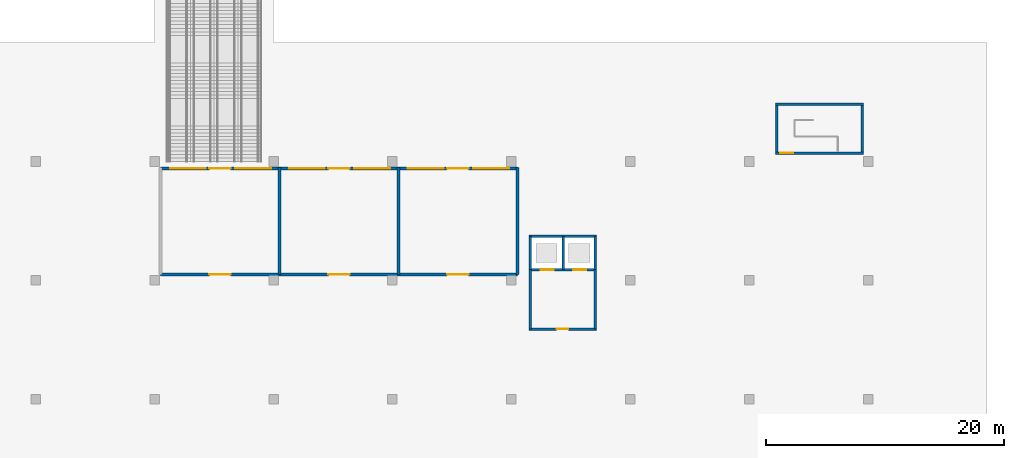
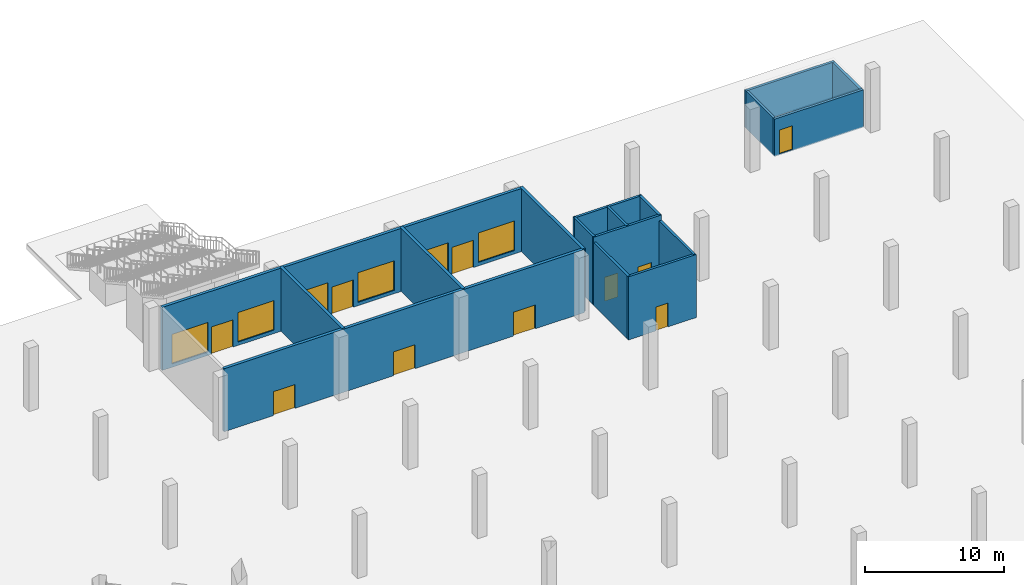
# One storey, part 13 of 21: 17 walls, 10 doors, 6 windows, 16 openings.
"""IFC4 building model written with IfcOpenShell, lengths in metres."""

import ifcopenshell
import ifcopenshell.guid

model = None  # the IFC model being written
_history = None  # IfcOwnerHistory: only IFC2X3 demands one
_inside = {}  # id of a spatial element -> (the spatial element, [elements in it])
_under = {}  # id of a project, library or spatial element -> (it, [spatial elements below it])
_declared = {}  # id of a project -> (the project, [libraries it declares])
_typed = {}  # id of a type object -> (the type object, [elements of that type])
_made_of = {}  # id of a material, layer set ... -> (it, [elements and type objects made of it])


def new_model(schema):
    """Start an empty IFC model of exactly this schema.

    Asked for "IFC4X3", IfcOpenShell would pick the latest addendum, in which some entities
    have other attributes; the version numbers below select the first issue.
    IFC2X3 requires an IfcOwnerHistory on every rooted entity: one is made here for all.
    """
    global model, _history
    if schema == "IFC4X3":
        model = ifcopenshell.file(schema_version=(4, 3, 0, 0))
    else:
        model = ifcopenshell.file(schema=schema)
    _inside.clear()
    _under.clear()
    _declared.clear()
    _typed.clear()
    _made_of.clear()
    _history = None
    if model.schema == "IFC2X3":
        org = make("IfcOrganization", Name="unknown")
        user = make(
            "IfcPersonAndOrganization",
            ThePerson=make("IfcPerson", FamilyName="unknown"),
            TheOrganization=org,
        )
        app = make(
            "IfcApplication",
            ApplicationDeveloper=org,
            Version="unknown",
            ApplicationFullName="unknown",
            ApplicationIdentifier="unknown",
        )
        _history = make(
            "IfcOwnerHistory",
            OwningUser=user,
            OwningApplication=app,
            ChangeAction="ADDED",
            CreationDate=0,
        )
    return model


def make(cls, **values):
    """One entity of the class cls with the attributes given. An attribute that is None is left unset."""
    return model.create_entity(
        cls, **{name: value for name, value in values.items() if value is not None}
    )


def rooted(cls, **values):
    """An entity with a GlobalId (a new one), such as an element, a storey or a relation."""
    return make(cls, GlobalId=ifcopenshell.guid.new(), OwnerHistory=_history, **values)


def si_unit(unit_type, name, prefix=None):
    """IfcSIUnit, for example si_unit("LENGTHUNIT", "METRE", prefix="MILLI")."""
    return make("IfcSIUnit", UnitType=unit_type, Prefix=prefix, Name=name)


def assignment(units):
    """IfcUnitAssignment: the units of a project."""
    return None if units is None else make("IfcUnitAssignment", Units=units)


def point(xyz):
    """IfcCartesianPoint."""
    return None if xyz is None else make("IfcCartesianPoint", Coordinates=xyz)


def direction(xyz):
    """IfcDirection."""
    return None if xyz is None else make("IfcDirection", DirectionRatios=xyz)


def frame(location, z_axis=None, x_axis=None):
    """IfcAxis2Placement3D, a coordinate frame: its origin and axes. An axis left out is left unset."""
    return make(
        "IfcAxis2Placement3D",
        Location=point(location),
        Axis=direction(z_axis),
        RefDirection=direction(x_axis),
    )


def frame_2d(location, x_axis=None):
    """IfcAxis2Placement2D, a coordinate frame in the plane: its origin and x axis."""
    return make(
        "IfcAxis2Placement2D", Location=point(location), RefDirection=direction(x_axis)
    )


def origin():
    """The frame at (0, 0, 0) with its axes left unset."""
    return frame((0.0, 0.0, 0.0))


def place(relative_to, where):
    """IfcLocalPlacement: puts the frame where relative to a parent placement (None: the world)."""
    return make(
        "IfcLocalPlacement", PlacementRelTo=relative_to, RelativePlacement=where
    )


def context(
    kind, dimensions, precision=None, world=None, true_north=None, identifier=None
):
    """IfcGeometricRepresentationContext, for example the 3D "Model" context."""
    return make(
        "IfcGeometricRepresentationContext",
        ContextIdentifier=identifier,
        ContextType=kind,
        CoordinateSpaceDimension=dimensions,
        Precision=precision,
        WorldCoordinateSystem=world,
        TrueNorth=true_north,
    )


def subcontext(parent, identifier, kind, view, scale=None):
    """IfcGeometricRepresentationSubContext, for example "Body" below "Model"."""
    return make(
        "IfcGeometricRepresentationSubContext",
        ContextIdentifier=identifier,
        ContextType=kind,
        ParentContext=parent,
        TargetScale=scale,
        TargetView=view,
    )


def project(units=None, contexts=None):
    """IfcProject with its units and contexts."""
    return rooted(
        "IfcProject",
        Name="project",
        RepresentationContexts=contexts,
        UnitsInContext=assignment(units),
    )


def spatial(cls, under=None, at=None, **own):
    """A site, building, storey or space (cls), placed at a placement, below another one or the project."""
    s = rooted(cls, ObjectPlacement=at, **own)
    if under is not None:
        _under.setdefault(under.id(), (under, []))[1].append(s)
    return s


def profile(cls, at=None, kind="AREA", **sizes):
    """A parametric profile (cls). Its sizes go by their IFC names, for example OverallWidth=200.0."""
    return make(cls, ProfileType=kind, Position=at, **sizes)


def rectangle(**sizes):
    """IfcRectangleProfileDef."""
    return profile("IfcRectangleProfileDef", **sizes)


def extrude(swept, where, along, depth):
    """IfcExtrudedAreaSolid: the profile swept, set in the frame where, extruded along a direction by depth."""
    return make(
        "IfcExtrudedAreaSolid",
        SweptArea=swept,
        Position=where,
        ExtrudedDirection=direction(along),
        Depth=depth,
    )


def shape(context_of_items, identifier, shape_type, items):
    """IfcShapeRepresentation: the items that make up one representation, for example the "Body"."""
    return make(
        "IfcShapeRepresentation",
        ContextOfItems=context_of_items,
        RepresentationIdentifier=identifier,
        RepresentationType=shape_type,
        Items=items,
    )


def material(Name=None, Category=None):
    """IfcMaterial."""
    return make("IfcMaterial", Name=Name, Category=Category)


def layer(
    of_material, thickness, ventilated=None, Name=None, Category=None, Priority=None
):
    """IfcMaterialLayer: one layer of a wall or slab, of a material (None: an air gap)."""
    return make(
        "IfcMaterialLayer",
        Material=of_material,
        LayerThickness=thickness,
        IsVentilated=ventilated,
        Name=Name,
        Category=Category,
        Priority=Priority,
    )


def layer_set(layers, Name=None):
    """IfcMaterialLayerSet."""
    return make("IfcMaterialLayerSet", MaterialLayers=layers, LayerSetName=Name)


def made_of(thing, what):
    """Note that an element or type object is made of a material, layer set ...; save() writes the relation."""
    if what is not None:
        _made_of.setdefault(what.id(), (what, []))[1].append(thing)
    return thing


def type_object(cls, material=None, **own):
    """A type object (cls), such as IfcWallType, which elements share."""
    return made_of(rooted(cls, **own), material)


def element(
    cls,
    number,
    at=None,
    inside=None,
    cuts=None,
    type_object=None,
    material=None,
    context=None,
    identifier="Body",
    shape_type=None,
    held_by="IfcProductDefinitionShape",
    body=None,
    shapes=None,
    **own,
):
    """One element of the class cls, such as IfcWall. Its Tag is "e" and its number.

    at: its placement. inside: the storey or other place that contains it. cuts: it is an
    opening in that element (IfcRelVoidsElement). A single representation is given by context,
    identifier, shape_type and body (its items); several are given by shapes. held_by: the class
    of the entity that holds the representations. save() writes the other relations.
    """
    e = rooted(cls, Tag="e%d" % number, ObjectPlacement=at, **own)
    if body is not None:
        shapes = [shape(context, identifier, shape_type, body)]
    if shapes is not None:
        e.Representation = make(held_by, Representations=shapes)
    if inside is not None:
        _inside.setdefault(inside.id(), (inside, []))[1].append(e)
    if cuts is not None:
        rooted(
            "IfcRelVoidsElement", RelatingBuildingElement=cuts, RelatedOpeningElement=e
        )
    if type_object is not None:
        _typed.setdefault(type_object.id(), (type_object, []))[1].append(e)
    return made_of(e, material)


def fill(opening, filler):
    """IfcRelFillsElement: the door or window that sits in an opening."""
    return rooted(
        "IfcRelFillsElement",
        RelatingOpeningElement=opening,
        RelatedBuildingElement=filler,
    )


def aggregate(whole, parts):
    """IfcRelAggregates: a whole, such as a stair, and the parts it consists of."""
    return rooted("IfcRelAggregates", RelatingObject=whole, RelatedObjects=parts)


def save(model, path):
    """Write the relations noted so far, then the file.

    IfcRelAggregates (storeys below a building ...), IfcRelContainedInSpatialStructure (elements
    in a storey), IfcRelDefinesByType, IfcRelAssociatesMaterial and IfcRelDeclares: one each for
    every whole, place, type object, material and project.
    """
    for whole, parts in _under.values():
        aggregate(whole, parts)
    for where, things in _inside.values():
        rooted(
            "IfcRelContainedInSpatialStructure",
            RelatedElements=things,
            RelatingStructure=where,
        )
    for kind, things in _typed.values():
        rooted("IfcRelDefinesByType", RelatedObjects=things, RelatingType=kind)
    for what, things in _made_of.values():
        rooted("IfcRelAssociatesMaterial", RelatedObjects=things, RelatingMaterial=what)
    for by, libraries in _declared.values():
        rooted("IfcRelDeclares", RelatingContext=by, RelatedDefinitions=libraries)
    model.write(path)


model = new_model("IFC4")

# Units and contexts
model_context = context("Model", 3, precision=1e-05, world=origin(), true_north=direction((0.0, 1.0)))
body_context = subcontext(model_context, "Body", "Model", "MODEL_VIEW")
ifc_project = project(units=[si_unit("LENGTHUNIT", "METRE"), si_unit("AREAUNIT", "SQUARE_METRE"), si_unit("VOLUMEUNIT", "CUBIC_METRE"), si_unit("PLANEANGLEUNIT", "RADIAN"), si_unit("MASSUNIT", "GRAM", prefix="KILO")], contexts=[model_context])

# Site, building, storey
site_placement = place(None, origin())
site = spatial("IfcSite", under=ifc_project, at=site_placement, CompositionType="ELEMENT")
building_placement = place(site_placement, origin())
building = spatial("IfcBuilding", under=site, at=building_placement, Name="Qaws Garden Tower", CompositionType="ELEMENT")
storey_placement = place(building_placement, origin())
storey = spatial("IfcBuildingStorey", under=building, at=storey_placement, Name="L00", CompositionType="ELEMENT", Elevation=0.0)

# Wall, openings, doors
ifc_material_1 = material(Name="Concrete C40", Category="concrete")
ifc_layer_1 = layer(ifc_material_1, 0.199951171875)
ifc_layer_set_1 = layer_set([ifc_layer_1], Name="Concrete C40")
wall_type_1 = type_object("IfcWallType", Name="Lift shaft wall 200", PredefinedType="SOLIDWALL", material=ifc_layer_set_1)
wall_1_placement = place(storey_placement, frame((71.5, 90.89990234375, 0.0), z_axis=(0.0, 0.0, 1.0), x_axis=(1.0, 0.0, 0.0)))
wall_1 = element("IfcWall", 1, at=wall_1_placement, inside=storey, type_object=wall_type_1, Name="Lift shaft south wall", PredefinedType="SOLIDWALL", context=body_context, shape_type="SweptSolid", body=[
    extrude(rectangle(XDim=5.64990234375, YDim=0.199951171875, at=frame_2d((2.824951171875, 0.0))), origin(), (0.0, 0.0, 1.0), 6.0),
])
opening_1_placement = place(wall_1_placement, frame((0.949951171875, 0.0, 0.0)))
opening_1 = element("IfcOpeningElement", 2, at=opening_1_placement, cuts=wall_1, Name="Opening LD-01", PredefinedType="OPENING", context=body_context, shape_type="SweptSolid", body=[
    extrude(rectangle(XDim=1.10009765625, YDim=2.10009765625, at=frame_2d((0.550048828125, 1.050048828125))), frame((0.0, 0.10986328125, 0.0), z_axis=(0.0, -1.0, 0.0), x_axis=(1.0, 0.0, 0.0)), (0.0, 0.0, 1.0), 0.219970703125),
])
opening_2_placement = place(wall_1_placement, frame((3.699951171875, 0.0, 0.0)))
opening_2 = element("IfcOpeningElement", 3, at=opening_2_placement, cuts=wall_1, Name="Opening LD-02", PredefinedType="OPENING", context=body_context, shape_type="SweptSolid", body=[
    extrude(rectangle(XDim=1.10009765625, YDim=2.10009765625, at=frame_2d((0.550048828125, 1.050048828125))), frame((0.0, 0.10986328125, 0.0), z_axis=(0.0, -1.0, 0.0), x_axis=(1.0, 0.0, 0.0)), (0.0, 0.0, 1.0), 0.219970703125),
])
ifc_material_2 = material(Name="Steel S235", Category="steel")
door_type_1 = type_object("IfcDoorType", Name="Landing door 1100x2100", OperationType="DOUBLE_DOOR_SLIDING", PredefinedType="DOOR", material=ifc_material_2)
door_1_placement = place(opening_1_placement, origin())
door_1 = element("IfcDoor", 4, at=door_1_placement, inside=storey, type_object=door_type_1, Name="Lift landing door", OperationType="DOUBLE_DOOR_SLIDING", OverallHeight=2.10009765625, OverallWidth=1.10009765625, PredefinedType="DOOR", context=body_context, shape_type="SweptSolid", body=[
    extrude(rectangle(XDim=1.10009765625, YDim=2.10009765625, at=frame_2d((0.550048828125, 1.050048828125))), frame((0.0, 0.02490234375, 0.0), z_axis=(0.0, -1.0, 0.0), x_axis=(1.0, 0.0, 0.0)), (0.0, 0.0, 1.0), 0.050048828125),
])
fill(opening_1, door_1)
door_2_placement = place(opening_2_placement, origin())
door_2 = element("IfcDoor", 5, at=door_2_placement, inside=storey, type_object=door_type_1, Name="Lift landing door", OperationType="DOUBLE_DOOR_SLIDING", OverallHeight=2.10009765625, OverallWidth=1.10009765625, PredefinedType="DOOR", context=body_context, shape_type="SweptSolid", body=[
    extrude(rectangle(XDim=1.10009765625, YDim=2.10009765625, at=frame_2d((0.550048828125, 1.050048828125))), frame((0.0, 0.02490234375, 0.0), z_axis=(0.0, -1.0, 0.0), x_axis=(1.0, 0.0, 0.0)), (0.0, 0.0, 1.0), 0.050048828125),
])
fill(opening_2, door_2)

# Walls
wall_2_placement = place(storey_placement, frame((71.5, 93.699951171875, 0.0), z_axis=(0.0, 0.0, 1.0), x_axis=(1.0, 0.0, 0.0)))
element("IfcWall", 6, at=wall_2_placement, inside=storey, type_object=wall_type_1, Name="Lift shaft north wall", PredefinedType="SOLIDWALL", context=body_context, shape_type="SweptSolid", body=[
    extrude(rectangle(XDim=5.64990234375, YDim=0.199951171875, at=frame_2d((2.824951171875, 0.0))), origin(), (0.0, 0.0, 1.0), 6.0),
])
for number, where, z_axis, x_axis, name in (
    (7, (71.60009765625, 90.89990234375, 0.0), (0.0, 0.0, 1.0), (0.0, 1.0, 0.0), "Lift shaft west wall"),
    (8, (74.35009765625, 90.89990234375, 0.0), (0.0, 0.0, 1.0), (0.0, 1.0, 0.0), "Lift shaft partition"),
    (9, (77.050048828125, 90.89990234375, 0.0), (0.0, 0.0, 1.0), (0.0, 1.0, 0.0), "Lift shaft east wall"),
):
    element("IfcWall", number, at=place(storey_placement, frame(where, z_axis=z_axis, x_axis=x_axis)), inside=storey, type_object=wall_type_1, Name=name, PredefinedType="SOLIDWALL", context=body_context, shape_type="SweptSolid", body=[
        extrude(rectangle(XDim=2.800048828125, YDim=0.199951171875, at=frame_2d((1.39990234375, 0.0))), origin(), (0.0, 0.0, 1.0), 6.0),
    ])
ifc_material_3 = material(Name="Blockwork", Category="masonry")
ifc_layer_2 = layer(ifc_material_3, 0.199951171875)
ifc_layer_set_2 = layer_set([ifc_layer_2], Name="Blockwork")
wall_type_2 = type_object("IfcWallType", Name="Plant room wall 200", PredefinedType="PARTITIONING", material=ifc_layer_set_2)
for number, where, z_axis, x_axis, name in (
    (10, (71.60009765625, 85.89990234375, 0.0), (0.0, 0.0, 1.0), (0.0, 1.0, 0.0), "Lift lobby west wall"),
    (11, (77.050048828125, 85.89990234375, 0.0), (0.0, 0.0, 1.0), (0.0, 1.0, 0.0), "Lift lobby east wall"),
):
    element("IfcWall", number, at=place(storey_placement, frame(where, z_axis=z_axis, x_axis=x_axis)), inside=storey, type_object=wall_type_2, Name=name, PredefinedType="PARTITIONING", context=body_context, shape_type="SweptSolid", body=[
        extrude(rectangle(XDim=5.0, YDim=0.199951171875, at=frame_2d((2.5, 0.0))), origin(), (0.0, 0.0, 1.0), 5.550048828125),
    ])

# Wall, opening, door
wall_3_placement = place(storey_placement, frame((71.5, 85.89990234375, 0.0), z_axis=(0.0, 0.0, 1.0), x_axis=(1.0, 0.0, 0.0)))
wall_3 = element("IfcWall", 12, at=wall_3_placement, inside=storey, type_object=wall_type_2, Name="Lift lobby south wall", PredefinedType="PARTITIONING", context=body_context, shape_type="SweptSolid", body=[
    extrude(rectangle(XDim=5.64990234375, YDim=0.199951171875, at=frame_2d((2.824951171875, 0.0))), origin(), (0.0, 0.0, 1.0), 5.550048828125),
])
opening_3_placement = place(wall_3_placement, frame((2.300048828125, 0.0, 0.0)))
opening_3 = element("IfcOpeningElement", 13, at=opening_3_placement, cuts=wall_3, Name="Opening PD12-01", PredefinedType="OPENING", context=body_context, shape_type="SweptSolid", body=[
    extrude(rectangle(XDim=1.0, YDim=2.10009765625, at=frame_2d((0.5, 1.050048828125))), frame((0.0, 0.10986328125, 0.0), z_axis=(0.0, -1.0, 0.0), x_axis=(1.0, 0.0, 0.0)), (0.0, 0.0, 1.0), 0.219970703125),
])
ifc_material_4 = material(Name="Steel S235 framed door leaf", Category="steel")
door_type_2 = type_object("IfcDoorType", Name="Door D12 fire single 1000", OperationType="SINGLE_SWING_LEFT", PredefinedType="DOOR", material=ifc_material_4)
door_3_placement = place(opening_3_placement, origin())
door_3 = element("IfcDoor", 14, at=door_3_placement, inside=storey, type_object=door_type_2, Name="Lift lobby door", OperationType="SINGLE_SWING_LEFT", OverallHeight=2.10009765625, OverallWidth=1.0, PredefinedType="DOOR", context=body_context, shape_type="SweptSolid", body=[
    extrude(rectangle(XDim=1.0, YDim=2.10009765625, at=frame_2d((0.5, 1.050048828125))), frame((0.0, 0.02490234375, 0.0), z_axis=(0.0, -1.0, 0.0), x_axis=(1.0, 0.0, 0.0)), (0.0, 0.0, 1.0), 0.050048828125),
])
fill(opening_3, door_3)

# Wall, openings, doors, windows
ifc_material_5 = material(Name="Blockwork reinforced with steel S355", Category="masonry")
ifc_layer_3 = layer(ifc_material_5, 0.25)
ifc_layer_set_3 = layer_set([ifc_layer_3], Name="Blockwork reinforced with steel S355")
wall_type_3 = type_object("IfcWallType", Name="Shopfront wall 250", PredefinedType="STANDARD", material=ifc_layer_set_3)
wall_4_placement = place(storey_placement, frame((40.5, 99.39990234375, 0.0), z_axis=(0.0, 0.0, 1.0), x_axis=(1.0, 0.0, 0.0)))
wall_4 = element("IfcWall", 15, at=wall_4_placement, inside=storey, type_object=wall_type_3, Name="Retail shopfront wall", PredefinedType="STANDARD", context=body_context, shape_type="SweptSolid", body=[
    extrude(rectangle(XDim=30.0, YDim=0.25, at=frame_2d((15.0, 0.0))), origin(), (0.0, 0.0, 1.0), 5.550048828125),
])
opening_4_placement = place(wall_4_placement, frame((0.800048828125, 0.0, 0.300048828125)))
opening_4 = element("IfcOpeningElement", 16, at=opening_4_placement, cuts=wall_4, Name="Opening PW-S1", PredefinedType="OPENING", context=body_context, shape_type="SweptSolid", body=[
    extrude(rectangle(XDim=3.0, YDim=2.60009765625, at=frame_2d((1.5, 1.300048828125))), frame((0.0, 0.135009765625, 0.0), z_axis=(0.0, -1.0, 0.0), x_axis=(1.0, 0.0, 0.0)), (0.0, 0.0, 1.0), 0.27001953125),
])
opening_5_placement = place(wall_4_placement, frame((4.10009765625, 0.0, 0.0)))
opening_5 = element("IfcOpeningElement", 17, at=opening_5_placement, cuts=wall_4, Name="Opening PD6-01", PredefinedType="OPENING", context=body_context, shape_type="SweptSolid", body=[
    extrude(rectangle(XDim=1.800048828125, YDim=2.39990234375, at=frame_2d((0.89990234375, 1.199951171875))), frame((0.0, 0.135009765625, 0.0), z_axis=(0.0, -1.0, 0.0), x_axis=(1.0, 0.0, 0.0)), (0.0, 0.0, 1.0), 0.27001953125),
])
opening_6_placement = place(wall_4_placement, frame((6.300048828125, 0.0, 0.300048828125)))
opening_6 = element("IfcOpeningElement", 18, at=opening_6_placement, cuts=wall_4, Name="Opening PW-S1", PredefinedType="OPENING", context=body_context, shape_type="SweptSolid", body=[
    extrude(rectangle(XDim=3.0, YDim=2.60009765625, at=frame_2d((1.5, 1.300048828125))), frame((0.0, 0.135009765625, 0.0), z_axis=(0.0, -1.0, 0.0), x_axis=(1.0, 0.0, 0.0)), (0.0, 0.0, 1.0), 0.27001953125),
])
opening_7_placement = place(wall_4_placement, frame((10.800048828125, 0.0, 0.300048828125)))
opening_7 = element("IfcOpeningElement", 19, at=opening_7_placement, cuts=wall_4, Name="Opening PW-S1", PredefinedType="OPENING", context=body_context, shape_type="SweptSolid", body=[
    extrude(rectangle(XDim=3.0, YDim=2.60009765625, at=frame_2d((1.5, 1.300048828125))), frame((0.0, 0.135009765625, 0.0), z_axis=(0.0, -1.0, 0.0), x_axis=(1.0, 0.0, 0.0)), (0.0, 0.0, 1.0), 0.27001953125),
])
opening_8_placement = place(wall_4_placement, frame((14.10009765625, 0.0, 0.0)))
opening_8 = element("IfcOpeningElement", 20, at=opening_8_placement, cuts=wall_4, Name="Opening PD6-02", PredefinedType="OPENING", context=body_context, shape_type="SweptSolid", body=[
    extrude(rectangle(XDim=1.800048828125, YDim=2.39990234375, at=frame_2d((0.89990234375, 1.199951171875))), frame((0.0, 0.135009765625, 0.0), z_axis=(0.0, -1.0, 0.0), x_axis=(1.0, 0.0, 0.0)), (0.0, 0.0, 1.0), 0.27001953125),
])
opening_9_placement = place(wall_4_placement, frame((16.300048828125, 0.0, 0.300048828125)))
opening_9 = element("IfcOpeningElement", 21, at=opening_9_placement, cuts=wall_4, Name="Opening PW-S1", PredefinedType="OPENING", context=body_context, shape_type="SweptSolid", body=[
    extrude(rectangle(XDim=3.0, YDim=2.60009765625, at=frame_2d((1.5, 1.300048828125))), frame((0.0, 0.135009765625, 0.0), z_axis=(0.0, -1.0, 0.0), x_axis=(1.0, 0.0, 0.0)), (0.0, 0.0, 1.0), 0.27001953125),
])
opening_10_placement = place(wall_4_placement, frame((20.800048828125, 0.0, 0.300048828125)))
opening_10 = element("IfcOpeningElement", 22, at=opening_10_placement, cuts=wall_4, Name="Opening PW-S1", PredefinedType="OPENING", context=body_context, shape_type="SweptSolid", body=[
    extrude(rectangle(XDim=3.0, YDim=2.60009765625, at=frame_2d((1.5, 1.300048828125))), frame((0.0, 0.135009765625, 0.0), z_axis=(0.0, -1.0, 0.0), x_axis=(1.0, 0.0, 0.0)), (0.0, 0.0, 1.0), 0.27001953125),
])
opening_11_placement = place(wall_4_placement, frame((24.10009765625, 0.0, 0.0)))
opening_11 = element("IfcOpeningElement", 23, at=opening_11_placement, cuts=wall_4, Name="Opening PD6-03", PredefinedType="OPENING", context=body_context, shape_type="SweptSolid", body=[
    extrude(rectangle(XDim=1.800048828125, YDim=2.39990234375, at=frame_2d((0.89990234375, 1.199951171875))), frame((0.0, 0.135009765625, 0.0), z_axis=(0.0, -1.0, 0.0), x_axis=(1.0, 0.0, 0.0)), (0.0, 0.0, 1.0), 0.27001953125),
])
opening_12_placement = place(wall_4_placement, frame((26.300048828125, 0.0, 0.300048828125)))
opening_12 = element("IfcOpeningElement", 24, at=opening_12_placement, cuts=wall_4, Name="Opening PW-S1", PredefinedType="OPENING", context=body_context, shape_type="SweptSolid", body=[
    extrude(rectangle(XDim=3.0, YDim=2.60009765625, at=frame_2d((1.5, 1.300048828125))), frame((0.0, 0.135009765625, 0.0), z_axis=(0.0, -1.0, 0.0), x_axis=(1.0, 0.0, 0.0)), (0.0, 0.0, 1.0), 0.27001953125),
])
ifc_material_6 = material(Name="Steel S235 framed door leaf", Category="steel")
door_type_3 = type_object("IfcDoorType", Name="Door D6 shopfront entrance 1800", OperationType="DOUBLE_DOOR_SINGLE_SWING", PredefinedType="DOOR", material=ifc_material_6)
door_4_placement = place(opening_5_placement, origin())
door_4 = element("IfcDoor", 25, at=door_4_placement, inside=storey, type_object=door_type_3, Name="Shop entrance door", OperationType="DOUBLE_DOOR_SINGLE_SWING", OverallHeight=2.39990234375, OverallWidth=1.800048828125, PredefinedType="DOOR", context=body_context, shape_type="SweptSolid", body=[
    extrude(rectangle(XDim=1.800048828125, YDim=2.39990234375, at=frame_2d((0.89990234375, 1.199951171875))), frame((0.0, 0.02490234375, 0.0), z_axis=(0.0, -1.0, 0.0), x_axis=(1.0, 0.0, 0.0)), (0.0, 0.0, 1.0), 0.050048828125),
])
fill(opening_5, door_4)
door_5_placement = place(opening_8_placement, origin())
door_5 = element("IfcDoor", 26, at=door_5_placement, inside=storey, type_object=door_type_3, Name="Shop entrance door", OperationType="DOUBLE_DOOR_SINGLE_SWING", OverallHeight=2.39990234375, OverallWidth=1.800048828125, PredefinedType="DOOR", context=body_context, shape_type="SweptSolid", body=[
    extrude(rectangle(XDim=1.800048828125, YDim=2.39990234375, at=frame_2d((0.89990234375, 1.199951171875))), frame((0.0, 0.02490234375, 0.0), z_axis=(0.0, -1.0, 0.0), x_axis=(1.0, 0.0, 0.0)), (0.0, 0.0, 1.0), 0.050048828125),
])
fill(opening_8, door_5)
door_6_placement = place(opening_11_placement, origin())
door_6 = element("IfcDoor", 27, at=door_6_placement, inside=storey, type_object=door_type_3, Name="Shop entrance door", OperationType="DOUBLE_DOOR_SINGLE_SWING", OverallHeight=2.39990234375, OverallWidth=1.800048828125, PredefinedType="DOOR", context=body_context, shape_type="SweptSolid", body=[
    extrude(rectangle(XDim=1.800048828125, YDim=2.39990234375, at=frame_2d((0.89990234375, 1.199951171875))), frame((0.0, 0.02490234375, 0.0), z_axis=(0.0, -1.0, 0.0), x_axis=(1.0, 0.0, 0.0)), (0.0, 0.0, 1.0), 0.050048828125),
])
fill(opening_11, door_6)
ifc_material_7 = material(Name="Aluminium and clear glass", Category="aluminium")
window_type = type_object("IfcWindowType", Name="Shopfront window 3000", PartitioningType="TRIPLE_PANEL_VERTICAL", PredefinedType="WINDOW", material=ifc_material_7)
window_1_placement = place(opening_4_placement, origin())
window_1 = element("IfcWindow", 28, at=window_1_placement, inside=storey, type_object=window_type, Name="Shopfront window", OverallHeight=2.60009765625, OverallWidth=3.0, PartitioningType="SINGLE_PANEL", PredefinedType="WINDOW", context=body_context, shape_type="SweptSolid", body=[
    extrude(rectangle(XDim=3.0, YDim=2.60009765625, at=frame_2d((1.5, 1.300048828125))), frame((0.0, 0.030029296875, 0.0), z_axis=(0.0, -1.0, 0.0), x_axis=(1.0, 0.0, 0.0)), (0.0, 0.0, 1.0), 0.06005859375),
])
fill(opening_4, window_1)
window_2_placement = place(opening_6_placement, origin())
window_2 = element("IfcWindow", 29, at=window_2_placement, inside=storey, type_object=window_type, Name="Shopfront window", OverallHeight=2.60009765625, OverallWidth=3.0, PartitioningType="SINGLE_PANEL", PredefinedType="WINDOW", context=body_context, shape_type="SweptSolid", body=[
    extrude(rectangle(XDim=3.0, YDim=2.60009765625, at=frame_2d((1.5, 1.300048828125))), frame((0.0, 0.030029296875, 0.0), z_axis=(0.0, -1.0, 0.0), x_axis=(1.0, 0.0, 0.0)), (0.0, 0.0, 1.0), 0.06005859375),
])
fill(opening_6, window_2)
window_3_placement = place(opening_7_placement, origin())
window_3 = element("IfcWindow", 30, at=window_3_placement, inside=storey, type_object=window_type, Name="Shopfront window", OverallHeight=2.60009765625, OverallWidth=3.0, PartitioningType="SINGLE_PANEL", PredefinedType="WINDOW", context=body_context, shape_type="SweptSolid", body=[
    extrude(rectangle(XDim=3.0, YDim=2.60009765625, at=frame_2d((1.5, 1.300048828125))), frame((0.0, 0.030029296875, 0.0), z_axis=(0.0, -1.0, 0.0), x_axis=(1.0, 0.0, 0.0)), (0.0, 0.0, 1.0), 0.06005859375),
])
fill(opening_7, window_3)
window_4_placement = place(opening_9_placement, origin())
window_4 = element("IfcWindow", 31, at=window_4_placement, inside=storey, type_object=window_type, Name="Shopfront window", OverallHeight=2.60009765625, OverallWidth=3.0, PartitioningType="SINGLE_PANEL", PredefinedType="WINDOW", context=body_context, shape_type="SweptSolid", body=[
    extrude(rectangle(XDim=3.0, YDim=2.60009765625, at=frame_2d((1.5, 1.300048828125))), frame((0.0, 0.030029296875, 0.0), z_axis=(0.0, -1.0, 0.0), x_axis=(1.0, 0.0, 0.0)), (0.0, 0.0, 1.0), 0.06005859375),
])
fill(opening_9, window_4)
window_5_placement = place(opening_10_placement, origin())
window_5 = element("IfcWindow", 32, at=window_5_placement, inside=storey, type_object=window_type, Name="Shopfront window", OverallHeight=2.60009765625, OverallWidth=3.0, PartitioningType="SINGLE_PANEL", PredefinedType="WINDOW", context=body_context, shape_type="SweptSolid", body=[
    extrude(rectangle(XDim=3.0, YDim=2.60009765625, at=frame_2d((1.5, 1.300048828125))), frame((0.0, 0.030029296875, 0.0), z_axis=(0.0, -1.0, 0.0), x_axis=(1.0, 0.0, 0.0)), (0.0, 0.0, 1.0), 0.06005859375),
])
fill(opening_10, window_5)
window_6_placement = place(opening_12_placement, origin())
window_6 = element("IfcWindow", 33, at=window_6_placement, inside=storey, type_object=window_type, Name="Shopfront window", OverallHeight=2.60009765625, OverallWidth=3.0, PartitioningType="SINGLE_PANEL", PredefinedType="WINDOW", context=body_context, shape_type="SweptSolid", body=[
    extrude(rectangle(XDim=3.0, YDim=2.60009765625, at=frame_2d((1.5, 1.300048828125))), frame((0.0, 0.030029296875, 0.0), z_axis=(0.0, -1.0, 0.0), x_axis=(1.0, 0.0, 0.0)), (0.0, 0.0, 1.0), 0.06005859375),
])
fill(opening_12, window_6)

# Wall, openings, doors
wall_5_placement = place(storey_placement, frame((40.5, 90.5, 0.0), z_axis=(0.0, 0.0, 1.0), x_axis=(1.0, 0.0, 0.0)))
wall_5 = element("IfcWall", 34, at=wall_5_placement, inside=storey, type_object=wall_type_3, Name="Retail unit rear wall", PredefinedType="STANDARD", context=body_context, shape_type="SweptSolid", body=[
    extrude(rectangle(XDim=30.0, YDim=0.25, at=frame_2d((15.0, 0.0))), origin(), (0.0, 0.0, 1.0), 5.550048828125),
])
opening_13_placement = place(wall_5_placement, frame((4.10009765625, 0.0, 0.0)))
opening_13 = element("IfcOpeningElement", 35, at=opening_13_placement, cuts=wall_5, Name="Opening PD2-02", PredefinedType="OPENING", context=body_context, shape_type="SweptSolid", body=[
    extrude(rectangle(XDim=1.800048828125, YDim=2.10009765625, at=frame_2d((0.89990234375, 1.050048828125))), frame((0.0, 0.135009765625, 0.0), z_axis=(0.0, -1.0, 0.0), x_axis=(1.0, 0.0, 0.0)), (0.0, 0.0, 1.0), 0.27001953125),
])
opening_14_placement = place(wall_5_placement, frame((14.10009765625, 0.0, 0.0)))
opening_14 = element("IfcOpeningElement", 36, at=opening_14_placement, cuts=wall_5, Name="Opening PD2-03", PredefinedType="OPENING", context=body_context, shape_type="SweptSolid", body=[
    extrude(rectangle(XDim=1.800048828125, YDim=2.10009765625, at=frame_2d((0.89990234375, 1.050048828125))), frame((0.0, 0.135009765625, 0.0), z_axis=(0.0, -1.0, 0.0), x_axis=(1.0, 0.0, 0.0)), (0.0, 0.0, 1.0), 0.27001953125),
])
opening_15_placement = place(wall_5_placement, frame((24.10009765625, 0.0, 0.0)))
opening_15 = element("IfcOpeningElement", 37, at=opening_15_placement, cuts=wall_5, Name="Opening PD2-04", PredefinedType="OPENING", context=body_context, shape_type="SweptSolid", body=[
    extrude(rectangle(XDim=1.800048828125, YDim=2.10009765625, at=frame_2d((0.89990234375, 1.050048828125))), frame((0.0, 0.135009765625, 0.0), z_axis=(0.0, -1.0, 0.0), x_axis=(1.0, 0.0, 0.0)), (0.0, 0.0, 1.0), 0.27001953125),
])
ifc_material_8 = material(Name="Steel S235 framed door leaf", Category="steel")
door_type_4 = type_object("IfcDoorType", Name="Door D2 double 1800", OperationType="DOUBLE_DOOR_SINGLE_SWING", PredefinedType="DOOR", material=ifc_material_8)
door_7_placement = place(opening_13_placement, origin())
door_7 = element("IfcDoor", 38, at=door_7_placement, inside=storey, type_object=door_type_4, Name="Retail unit door", OperationType="DOUBLE_DOOR_SINGLE_SWING", OverallHeight=2.10009765625, OverallWidth=1.800048828125, PredefinedType="DOOR", context=body_context, shape_type="SweptSolid", body=[
    extrude(rectangle(XDim=1.800048828125, YDim=2.10009765625, at=frame_2d((0.89990234375, 1.050048828125))), frame((0.0, 0.02490234375, 0.0), z_axis=(0.0, -1.0, 0.0), x_axis=(1.0, 0.0, 0.0)), (0.0, 0.0, 1.0), 0.050048828125),
])
fill(opening_13, door_7)
door_8_placement = place(opening_14_placement, origin())
door_8 = element("IfcDoor", 39, at=door_8_placement, inside=storey, type_object=door_type_4, Name="Retail unit door", OperationType="DOUBLE_DOOR_SINGLE_SWING", OverallHeight=2.10009765625, OverallWidth=1.800048828125, PredefinedType="DOOR", context=body_context, shape_type="SweptSolid", body=[
    extrude(rectangle(XDim=1.800048828125, YDim=2.10009765625, at=frame_2d((0.89990234375, 1.050048828125))), frame((0.0, 0.02490234375, 0.0), z_axis=(0.0, -1.0, 0.0), x_axis=(1.0, 0.0, 0.0)), (0.0, 0.0, 1.0), 0.050048828125),
])
fill(opening_14, door_8)
door_9_placement = place(opening_15_placement, origin())
door_9 = element("IfcDoor", 40, at=door_9_placement, inside=storey, type_object=door_type_4, Name="Retail unit door", OperationType="DOUBLE_DOOR_SINGLE_SWING", OverallHeight=2.10009765625, OverallWidth=1.800048828125, PredefinedType="DOOR", context=body_context, shape_type="SweptSolid", body=[
    extrude(rectangle(XDim=1.800048828125, YDim=2.10009765625, at=frame_2d((0.89990234375, 1.050048828125))), frame((0.0, 0.02490234375, 0.0), z_axis=(0.0, -1.0, 0.0), x_axis=(1.0, 0.0, 0.0)), (0.0, 0.0, 1.0), 0.050048828125),
])
fill(opening_15, door_9)

# Walls
for number, where, z_axis, x_axis, name in (
    (41, (50.5, 90.5, 0.0), (0.0, 0.0, 1.0), (0.0, 1.0, 0.0), "Retail unit partition"),
    (42, (60.5, 90.5, 0.0), (0.0, 0.0, 1.0), (0.0, 1.0, 0.0), "Retail unit partition"),
    (43, (70.5, 90.5, 0.0), (0.0, 0.0, 1.0), (0.0, 1.0, 0.0), "Retail unit partition"),
):
    element("IfcWall", number, at=place(storey_placement, frame(where, z_axis=z_axis, x_axis=x_axis)), inside=storey, type_object=wall_type_3, Name=name, PredefinedType="STANDARD", context=body_context, shape_type="SweptSolid", body=[
        extrude(rectangle(XDim=9.0, YDim=0.25, at=frame_2d((4.5, 0.0))), origin(), (0.0, 0.0, 1.0), 5.550048828125),
    ])

# Wall, opening, door
ifc_material_9 = material(Name="Concrete C40", Category="concrete")
ifc_layer_4 = layer(ifc_material_9, 0.199951171875)
ifc_layer_set_4 = layer_set([ifc_layer_4], Name="Concrete C40")
wall_type_4 = type_object("IfcWallType", Name="Stair enclosure wall 200", PredefinedType="SOLIDWALL", material=ifc_layer_set_4)
wall_6_placement = place(storey_placement, frame((92.199951171875, 100.699951171875, -0.10009765625), z_axis=(0.0, 0.0, 1.0), x_axis=(1.0, 0.0, 0.0)))
wall_6 = element("IfcWall", 44, at=wall_6_placement, inside=storey, type_object=wall_type_4, Name="Stair N2 enclosure wall", PredefinedType="SOLIDWALL", context=body_context, shape_type="SweptSolid", body=[
    extrude(rectangle(XDim=7.400146484375, YDim=0.199951171875, at=frame_2d((3.7001953125, 0.0))), origin(), (0.0, 0.0, 1.0), 3.300048828125),
])
opening_16_placement = place(wall_6_placement, frame((0.39990234375, 0.0, 0.10009765625)))
opening_16 = element("IfcOpeningElement", 45, at=opening_16_placement, cuts=wall_6, Name="Opening PD4-02", PredefinedType="OPENING", context=body_context, shape_type="SweptSolid", body=[
    extrude(rectangle(XDim=1.10009765625, YDim=2.10009765625, at=frame_2d((0.550048828125, 1.050048828125))), frame((0.0, 0.10986328125, 0.0), z_axis=(0.0, -1.0, 0.0), x_axis=(1.0, 0.0, 0.0)), (0.0, 0.0, 1.0), 0.219970703125),
])
ifc_material_10 = material(Name="Steel S235 framed door leaf", Category="steel")
door_type_5 = type_object("IfcDoorType", Name="Door D4 fire stair 1100", OperationType="SINGLE_SWING_LEFT", PredefinedType="DOOR", material=ifc_material_10)
door_10_placement = place(opening_16_placement, origin())
door_10 = element("IfcDoor", 46, at=door_10_placement, inside=storey, type_object=door_type_5, Name="Exit stair door", OperationType="SINGLE_SWING_LEFT", OverallHeight=2.10009765625, OverallWidth=1.10009765625, PredefinedType="DOOR", context=body_context, shape_type="SweptSolid", body=[
    extrude(rectangle(XDim=1.10009765625, YDim=2.10009765625, at=frame_2d((0.550048828125, 1.050048828125))), frame((0.0, 0.02490234375, 0.0), z_axis=(0.0, -1.0, 0.0), x_axis=(1.0, 0.0, 0.0)), (0.0, 0.0, 1.0), 0.050048828125),
])
fill(opening_16, door_10)

# Walls
wall_7_placement = place(storey_placement, frame((92.199951171875, 104.800048828125, -0.10009765625), z_axis=(0.0, 0.0, 1.0), x_axis=(1.0, 0.0, 0.0)))
element("IfcWall", 47, at=wall_7_placement, inside=storey, type_object=wall_type_4, Name="Stair N2 enclosure wall", PredefinedType="SOLIDWALL", context=body_context, shape_type="SweptSolid", body=[
    extrude(rectangle(XDim=7.400146484375, YDim=0.199951171875, at=frame_2d((3.7001953125, 0.0))), origin(), (0.0, 0.0, 1.0), 3.300048828125),
])
for number, where, z_axis, x_axis, name in (
    (48, (92.300048828125, 100.800048828125, -0.10009765625), (0.0, 0.0, 1.0), (0.0, 1.0, 0.0), "Stair N2 enclosure wall"),
    (49, (99.5, 100.800048828125, -0.10009765625), (0.0, 0.0, 1.0), (0.0, 1.0, 0.0), "Stair N2 enclosure wall"),
):
    element("IfcWall", number, at=place(storey_placement, frame(where, z_axis=z_axis, x_axis=x_axis)), inside=storey, type_object=wall_type_4, Name=name, PredefinedType="SOLIDWALL", context=body_context, shape_type="SweptSolid", body=[
        extrude(rectangle(XDim=3.89990234375, YDim=0.199951171875, at=frame_2d((1.949951171875, 0.0))), origin(), (0.0, 0.0, 1.0), 3.300048828125),
    ])

save(model, "model.ifc")
